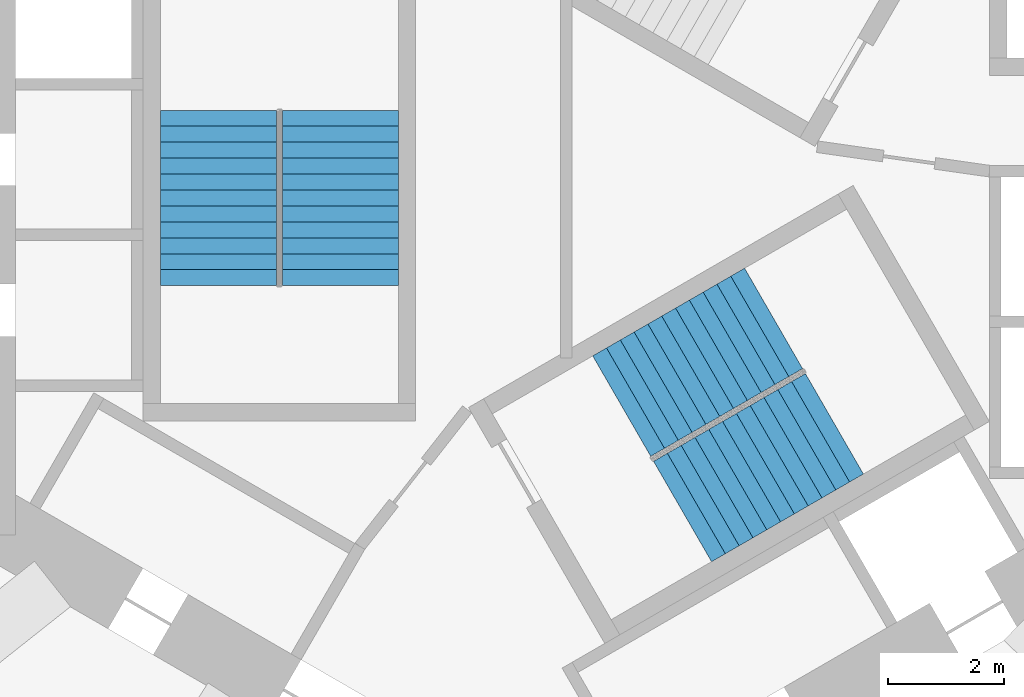
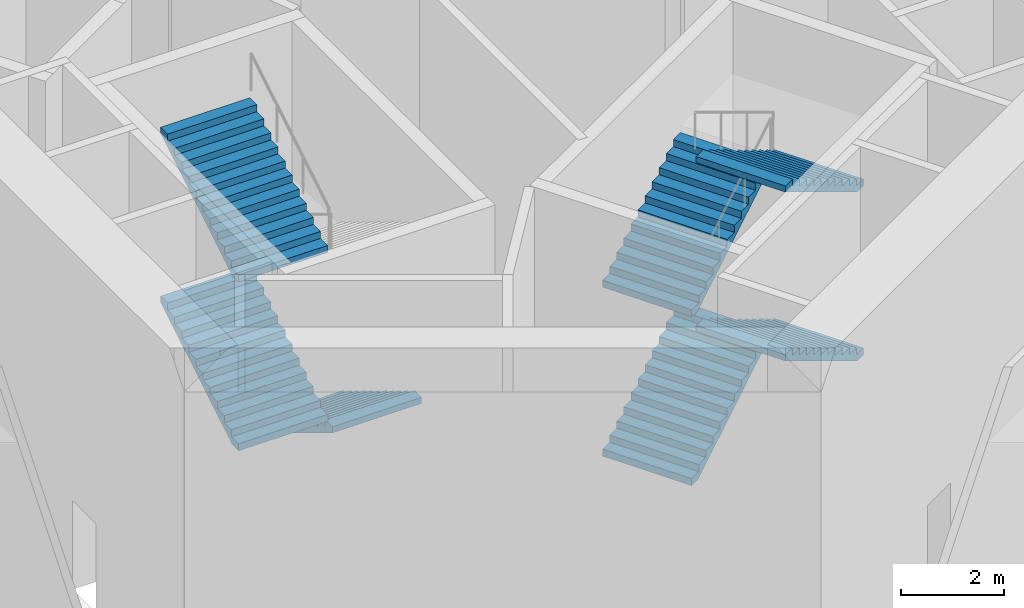
# One storey, part 12 of 15: 7 stair flights, 2 elements without a shape of their own.
"""IFC4 building model written with IfcOpenShell, lengths in metres."""

import ifcopenshell
import ifcopenshell.guid

model = None  # the IFC model being written
_history = None  # IfcOwnerHistory: only IFC2X3 demands one
_inside = {}  # id of a spatial element -> (the spatial element, [elements in it])
_under = {}  # id of a project, library or spatial element -> (it, [spatial elements below it])
_declared = {}  # id of a project -> (the project, [libraries it declares])
_typed = {}  # id of a type object -> (the type object, [elements of that type])
_made_of = {}  # id of a material, layer set ... -> (it, [elements and type objects made of it])


def new_model(schema):
    """Start an empty IFC model of exactly this schema.

    Asked for "IFC4X3", IfcOpenShell would pick the latest addendum, in which some entities
    have other attributes; the version numbers below select the first issue.
    IFC2X3 requires an IfcOwnerHistory on every rooted entity: one is made here for all.
    """
    global model, _history
    if schema == "IFC4X3":
        model = ifcopenshell.file(schema_version=(4, 3, 0, 0))
    else:
        model = ifcopenshell.file(schema=schema)
    _inside.clear()
    _under.clear()
    _declared.clear()
    _typed.clear()
    _made_of.clear()
    _history = None
    if model.schema == "IFC2X3":
        org = make("IfcOrganization", Name="unknown")
        user = make(
            "IfcPersonAndOrganization",
            ThePerson=make("IfcPerson", FamilyName="unknown"),
            TheOrganization=org,
        )
        app = make(
            "IfcApplication",
            ApplicationDeveloper=org,
            Version="unknown",
            ApplicationFullName="unknown",
            ApplicationIdentifier="unknown",
        )
        _history = make(
            "IfcOwnerHistory",
            OwningUser=user,
            OwningApplication=app,
            ChangeAction="ADDED",
            CreationDate=0,
        )
    return model


def make(cls, **values):
    """One entity of the class cls with the attributes given. An attribute that is None is left unset."""
    return model.create_entity(
        cls, **{name: value for name, value in values.items() if value is not None}
    )


def rooted(cls, **values):
    """An entity with a GlobalId (a new one), such as an element, a storey or a relation."""
    return make(cls, GlobalId=ifcopenshell.guid.new(), OwnerHistory=_history, **values)


def si_unit(unit_type, name, prefix=None):
    """IfcSIUnit, for example si_unit("LENGTHUNIT", "METRE", prefix="MILLI")."""
    return make("IfcSIUnit", UnitType=unit_type, Prefix=prefix, Name=name)


def assignment(units):
    """IfcUnitAssignment: the units of a project."""
    return None if units is None else make("IfcUnitAssignment", Units=units)


def point(xyz):
    """IfcCartesianPoint."""
    return None if xyz is None else make("IfcCartesianPoint", Coordinates=xyz)


def direction(xyz):
    """IfcDirection."""
    return None if xyz is None else make("IfcDirection", DirectionRatios=xyz)


def frame(location, z_axis=None, x_axis=None):
    """IfcAxis2Placement3D, a coordinate frame: its origin and axes. An axis left out is left unset."""
    return make(
        "IfcAxis2Placement3D",
        Location=point(location),
        Axis=direction(z_axis),
        RefDirection=direction(x_axis),
    )


def origin():
    """The frame at (0, 0, 0) with its axes left unset."""
    return frame((0.0, 0.0, 0.0))


def place(relative_to, where):
    """IfcLocalPlacement: puts the frame where relative to a parent placement (None: the world)."""
    return make(
        "IfcLocalPlacement", PlacementRelTo=relative_to, RelativePlacement=where
    )


def context(
    kind, dimensions, precision=None, world=None, true_north=None, identifier=None
):
    """IfcGeometricRepresentationContext, for example the 3D "Model" context."""
    return make(
        "IfcGeometricRepresentationContext",
        ContextIdentifier=identifier,
        ContextType=kind,
        CoordinateSpaceDimension=dimensions,
        Precision=precision,
        WorldCoordinateSystem=world,
        TrueNorth=true_north,
    )


def subcontext(parent, identifier, kind, view, scale=None):
    """IfcGeometricRepresentationSubContext, for example "Body" below "Model"."""
    return make(
        "IfcGeometricRepresentationSubContext",
        ContextIdentifier=identifier,
        ContextType=kind,
        ParentContext=parent,
        TargetScale=scale,
        TargetView=view,
    )


def project(units=None, contexts=None):
    """IfcProject with its units and contexts."""
    return rooted(
        "IfcProject",
        Name="project",
        RepresentationContexts=contexts,
        UnitsInContext=assignment(units),
    )


def spatial(cls, under=None, at=None, **own):
    """A site, building, storey or space (cls), placed at a placement, below another one or the project."""
    s = rooted(cls, ObjectPlacement=at, **own)
    if under is not None:
        _under.setdefault(under.id(), (under, []))[1].append(s)
    return s


def point_list(points):
    """IfcCartesianPointList2D or 3D."""
    cls = (
        "IfcCartesianPointList2D" if len(points[0]) == 2 else "IfcCartesianPointList3D"
    )
    return make(cls, CoordList=points)


def triangles(points, corners, closed=None, point_numbers=None):
    """IfcTriangulatedFaceSet: each triangle names its three corners, points numbered from 1."""
    return make(
        "IfcTriangulatedFaceSet",
        Coordinates=point_list(points),
        Closed=closed,
        CoordIndex=corners,
        PnIndex=point_numbers,
    )


def shape(context_of_items, identifier, shape_type, items):
    """IfcShapeRepresentation: the items that make up one representation, for example the "Body"."""
    return make(
        "IfcShapeRepresentation",
        ContextOfItems=context_of_items,
        RepresentationIdentifier=identifier,
        RepresentationType=shape_type,
        Items=items,
    )


def source(mapping_origin, context_of_items, identifier, shape_type, items):
    """IfcRepresentationMap: a shape defined once, which mapped items show again and again."""
    return make(
        "IfcRepresentationMap",
        MappingOrigin=mapping_origin,
        MappedRepresentation=shape(context_of_items, identifier, shape_type, items),
    )


def transform(
    local_origin,
    x_axis=None,
    y_axis=None,
    z_axis=None,
    scale=None,
    scale2=None,
    scale3=None,
    uniform=True,
):
    """IfcCartesianTransformationOperator3D, or its non-uniform kind. x_axis, y_axis, z_axis: its Axis1, 2, 3."""
    if uniform:
        return make(
            "IfcCartesianTransformationOperator3D",
            Axis1=direction(x_axis),
            Axis2=direction(y_axis),
            LocalOrigin=point(local_origin),
            Scale=scale,
            Axis3=direction(z_axis),
        )
    return make(
        "IfcCartesianTransformationOperator3DnonUniform",
        Axis1=direction(x_axis),
        Axis2=direction(y_axis),
        LocalOrigin=point(local_origin),
        Scale=scale,
        Axis3=direction(z_axis),
        Scale2=scale2,
        Scale3=scale3,
    )


def mapped(mapping_source, mapping_target):
    """IfcMappedItem: shows the shape of a source again, moved by a transform."""
    return make(
        "IfcMappedItem", MappingSource=mapping_source, MappingTarget=mapping_target
    )


def material(Name=None, Category=None):
    """IfcMaterial."""
    return make("IfcMaterial", Name=Name, Category=Category)


def made_of(thing, what):
    """Note that an element or type object is made of a material, layer set ...; save() writes the relation."""
    if what is not None:
        _made_of.setdefault(what.id(), (what, []))[1].append(thing)
    return thing


def type_object(cls, material=None, **own):
    """A type object (cls), such as IfcWallType, which elements share."""
    return made_of(rooted(cls, **own), material)


def element(
    cls,
    number,
    at=None,
    inside=None,
    cuts=None,
    type_object=None,
    material=None,
    context=None,
    identifier="Body",
    shape_type=None,
    held_by="IfcProductDefinitionShape",
    body=None,
    shapes=None,
    **own,
):
    """One element of the class cls, such as IfcWall. Its Tag is "e" and its number.

    at: its placement. inside: the storey or other place that contains it. cuts: it is an
    opening in that element (IfcRelVoidsElement). A single representation is given by context,
    identifier, shape_type and body (its items); several are given by shapes. held_by: the class
    of the entity that holds the representations. save() writes the other relations.
    """
    e = rooted(cls, Tag="e%d" % number, ObjectPlacement=at, **own)
    if body is not None:
        shapes = [shape(context, identifier, shape_type, body)]
    if shapes is not None:
        e.Representation = make(held_by, Representations=shapes)
    if inside is not None:
        _inside.setdefault(inside.id(), (inside, []))[1].append(e)
    if cuts is not None:
        rooted(
            "IfcRelVoidsElement", RelatingBuildingElement=cuts, RelatedOpeningElement=e
        )
    if type_object is not None:
        _typed.setdefault(type_object.id(), (type_object, []))[1].append(e)
    return made_of(e, material)


def aggregate(whole, parts):
    """IfcRelAggregates: a whole, such as a stair, and the parts it consists of."""
    return rooted("IfcRelAggregates", RelatingObject=whole, RelatedObjects=parts)


def save(model, path):
    """Write the relations noted so far, then the file.

    IfcRelAggregates (storeys below a building ...), IfcRelContainedInSpatialStructure (elements
    in a storey), IfcRelDefinesByType, IfcRelAssociatesMaterial and IfcRelDeclares: one each for
    every whole, place, type object, material and project.
    """
    for whole, parts in _under.values():
        aggregate(whole, parts)
    for where, things in _inside.values():
        rooted(
            "IfcRelContainedInSpatialStructure",
            RelatedElements=things,
            RelatingStructure=where,
        )
    for kind, things in _typed.values():
        rooted("IfcRelDefinesByType", RelatedObjects=things, RelatingType=kind)
    for what, things in _made_of.values():
        rooted("IfcRelAssociatesMaterial", RelatedObjects=things, RelatingMaterial=what)
    for by, libraries in _declared.values():
        rooted("IfcRelDeclares", RelatingContext=by, RelatedDefinitions=libraries)
    model.write(path)


model = new_model("IFC4")

# Units and contexts
model_context = context("Model", 3, precision=1e-05, world=origin(), true_north=direction((0.0, 1.0)))
body_context = subcontext(model_context, "Body", "Model", "MODEL_VIEW")
ifc_project = project(units=[si_unit("LENGTHUNIT", "METRE"), si_unit("AREAUNIT", "SQUARE_METRE"), si_unit("VOLUMEUNIT", "CUBIC_METRE"), si_unit("PLANEANGLEUNIT", "RADIAN"), si_unit("MASSUNIT", "GRAM", prefix="KILO")], contexts=[model_context])

# Site, building, storey
site_placement = place(None, origin())
site = spatial("IfcSite", under=ifc_project, at=site_placement, CompositionType="ELEMENT")
building_placement = place(site_placement, origin())
building = spatial("IfcBuilding", under=site, at=building_placement, Name="Vanh Sen Convention Tower", CompositionType="ELEMENT")
storey_placement = place(building_placement, frame((0.0, 0.0, 21.0)))
storey = spatial("IfcBuildingStorey", under=building, at=storey_placement, Name="L03", CompositionType="ELEMENT", Elevation=21.0)

# Stair, stair flights
ifc_material_1 = material(Name="Concrete C50/60", Category="concrete")
stair_type_1 = type_object("IfcStairType", Name="Exit stair ST2 48 risers at 166.7", PredefinedType="HALF_TURN_STAIR", material=ifc_material_1)
stair_1_placement = place(storey_placement, origin())
stair_1 = element("IfcStair", 1, at=stair_1_placement, inside=storey, type_object=stair_type_1, Name="Exit stair ST2 L03", PredefinedType="HALF_TURN_STAIR")
ifc_material_2 = material(Name="Concrete C40/50", Category="concrete")
stair_flight_type = type_object("IfcStairFlightType", Name="Stair flight 2000", PredefinedType="STRAIGHT", material=ifc_material_2)
shared_shape = source(origin(), body_context, "Body", "Tessellation", [
    triangles([(0.2412109375, 1.0, 0.0), (0.0, 1.0, 0.0), (0.0, 1.0, 0.166748046875), (0.27490234375, 1.0, 0.166748046875), (0.27490234375, 1.0, 0.333251953125), (0.550048828125, 1.0, 0.333251953125), (0.550048828125, 1.0, 0.5), (0.824951171875, 1.0, 0.5), (0.824951171875, 1.0, 0.666748046875), (1.10009765625, 1.0, 0.666748046875), (1.10009765625, 1.0, 0.833251953125), (1.375, 1.0, 0.833251953125), (1.375, 1.0, 1.0), (1.64990234375, 1.0, 1.0), (1.64990234375, 1.0, 1.166748046875), (1.925048828125, 1.0, 1.166748046875), (1.925048828125, 1.0, 1.333251953125), (2.199951171875, 1.0, 1.333251953125), (2.199951171875, 1.0, 1.5), (2.47509765625, 1.0, 1.5), (2.47509765625, 1.0, 1.666748046875), (2.75, 1.0, 1.666748046875), (2.75, 1.0, 1.833251953125), (3.02490234375, 1.0, 1.833251953125), (3.02490234375, 1.0, 1.687255859375), (0.2412109375, -1.0, 0.0), (0.0, -1.0, 0.0), (0.0, -1.0, 0.166748046875), (0.27490234375, -1.0, 0.166748046875), (0.27490234375, -1.0, 0.333251953125), (0.550048828125, -1.0, 0.333251953125), (0.550048828125, -1.0, 0.5), (0.824951171875, -1.0, 0.5), (0.824951171875, -1.0, 0.666748046875), (1.10009765625, -1.0, 0.666748046875), (1.10009765625, -1.0, 0.833251953125), (1.375, -1.0, 0.833251953125), (1.375, -1.0, 1.0), (1.64990234375, -1.0, 1.0), (1.64990234375, -1.0, 1.166748046875), (1.925048828125, -1.0, 1.166748046875), (1.925048828125, -1.0, 1.333251953125), (2.199951171875, -1.0, 1.333251953125), (2.199951171875, -1.0, 1.5), (2.47509765625, -1.0, 1.5), (2.47509765625, -1.0, 1.666748046875), (2.75, -1.0, 1.666748046875), (2.75, -1.0, 1.833251953125), (3.02490234375, -1.0, 1.833251953125), (3.02490234375, -1.0, 1.687255859375), (0.0, 0.0400390625, 0.0), (0.0, 0.0390625, 0.0), (0.0, 0.0380859375, 0.0), (0.0, 0.037109375, 0.0), (0.0, 0.035888671875, 0.0), (0.0, 0.034912109375, 0.0), (0.0, 0.033935546875, 0.0), (0.0, 0.032958984375, 0.0), (0.0, 0.031982421875, 0.0), (0.0, 0.031005859375, 0.0), (0.0, 0.030029296875, 0.0), (0.0, 0.029052734375, 0.0), (0.0, 0.028076171875, 0.0), (0.0, 0.027099609375, 0.0), (0.0, 0.02587890625, 0.0), (0.0, 0.02490234375, 0.0), (0.0, 0.02392578125, 0.0), (0.0, 0.02294921875, 0.0), (0.0, 0.02197265625, 0.0), (0.0, 0.02099609375, 0.0), (0.0, 0.02001953125, 0.0), (0.0, 0.01904296875, 0.0), (0.0, 0.01806640625, 0.0), (0.0, 0.01708984375, 0.0), (0.0, 0.01611328125, 0.0), (0.0, 0.014892578125, 0.0), (0.0, 0.013916015625, 0.0), (0.0, 0.012939453125, 0.0), (0.0, 0.011962890625, 0.0), (0.0, 0.010986328125, 0.0), (0.0, 0.010009765625, 0.0), (0.0, 0.009033203125, 0.0), (0.0, 0.008056640625, 0.0), (0.0, 0.007080078125, 0.0), (0.0, 0.006103515625, 0.0), (0.0, 0.0048828125, 0.0), (0.0, 0.00390625, 0.0), (0.0, 0.0029296875, 0.0), (0.0, 0.001953125, 0.0), (0.0, 0.0009765625, 0.0), (0.0, 0.0, 0.0), (0.0, -0.0009765625, 0.0), (0.0, -0.001953125, 0.0), (0.0, -0.0029296875, 0.0), (0.0, -0.00390625, 0.0), (0.0, -0.0048828125, 0.0), (0.0, -0.006103515625, 0.0), (0.0, -0.007080078125, 0.0), (0.0, -0.008056640625, 0.0), (0.0, -0.009033203125, 0.0), (0.0, -0.010009765625, 0.0), (0.0, -0.010986328125, 0.0), (0.0, -0.011962890625, 0.0), (0.0, -0.012939453125, 0.0), (0.0, -0.013916015625, 0.0), (0.0, -0.014892578125, 0.0), (0.0, -0.01611328125, 0.0), (0.0, -0.01708984375, 0.0), (0.0, -0.01806640625, 0.0), (0.0, -0.01904296875, 0.0), (0.0, -0.02001953125, 0.0), (0.0, -0.02099609375, 0.0), (0.0, -0.02197265625, 0.0), (0.0, -0.02294921875, 0.0), (0.0, -0.02392578125, 0.0), (0.0, -0.02490234375, 0.0), (0.0, -0.02587890625, 0.0), (0.0, -0.027099609375, 0.0), (0.0, -0.028076171875, 0.0), (0.0, -0.029052734375, 0.0), (0.0, -0.030029296875, 0.0), (0.0, -0.031005859375, 0.0), (0.0, -0.031982421875, 0.0), (0.0, -0.032958984375, 0.0), (0.0, -0.033935546875, 0.0), (0.0, -0.034912109375, 0.0), (0.0, -0.035888671875, 0.0), (0.0, -0.037109375, 0.0), (0.0, -0.0380859375, 0.0), (0.0, -0.0390625, 0.0), (0.0, -0.0400390625, 0.0), (0.0, 0.0400390625, 0.166748046875), (0.0, 0.0390625, 0.166748046875), (0.0, 0.0380859375, 0.166748046875), (0.0, 0.037109375, 0.166748046875), (0.0, 0.035888671875, 0.166748046875), (0.0, 0.034912109375, 0.166748046875), (0.0, 0.033935546875, 0.166748046875), (0.0, 0.032958984375, 0.166748046875), (0.0, 0.031982421875, 0.166748046875), (0.0, 0.031005859375, 0.166748046875), (0.0, 0.030029296875, 0.166748046875), (0.0, 0.029052734375, 0.166748046875), (0.0, 0.028076171875, 0.166748046875), (0.0, 0.027099609375, 0.166748046875), (0.0, 0.02587890625, 0.166748046875), (0.0, 0.02490234375, 0.166748046875), (0.0, 0.02392578125, 0.166748046875), (0.0, 0.02294921875, 0.166748046875), (0.0, 0.02197265625, 0.166748046875), (0.0, 0.02099609375, 0.166748046875), (0.0, 0.02001953125, 0.166748046875), (0.0, 0.01904296875, 0.166748046875), (0.0, 0.01806640625, 0.166748046875), (0.0, 0.01708984375, 0.166748046875), (0.0, 0.01611328125, 0.166748046875), (0.0, 0.014892578125, 0.166748046875), (0.0, 0.013916015625, 0.166748046875), (0.0, 0.012939453125, 0.166748046875), (0.0, 0.011962890625, 0.166748046875), (0.0, 0.010986328125, 0.166748046875), (0.0, 0.010009765625, 0.166748046875), (0.0, 0.009033203125, 0.166748046875), (0.0, 0.008056640625, 0.166748046875), (0.0, 0.007080078125, 0.166748046875), (0.0, 0.006103515625, 0.166748046875), (0.0, 0.0048828125, 0.166748046875), (0.0, 0.00390625, 0.166748046875), (0.0, 0.0029296875, 0.166748046875), (0.0, 0.001953125, 0.166748046875), (0.0, 0.0009765625, 0.166748046875), (0.0, 0.0, 0.166748046875), (0.0, -0.0009765625, 0.166748046875), (0.0, -0.001953125, 0.166748046875), (0.0, -0.0029296875, 0.166748046875), (0.0, -0.00390625, 0.166748046875), (0.0, -0.0048828125, 0.166748046875), (0.0, -0.006103515625, 0.166748046875), (0.0, -0.007080078125, 0.166748046875), (0.0, -0.008056640625, 0.166748046875), (0.0, -0.009033203125, 0.166748046875), (0.0, -0.010009765625, 0.166748046875), (0.0, -0.010986328125, 0.166748046875), (0.0, -0.011962890625, 0.166748046875), (0.0, -0.012939453125, 0.166748046875), (0.0, -0.013916015625, 0.166748046875), (0.0, -0.014892578125, 0.166748046875), (0.0, -0.01611328125, 0.166748046875), (0.0, -0.01708984375, 0.166748046875), (0.0, -0.01806640625, 0.166748046875), (0.0, -0.01904296875, 0.166748046875), (0.0, -0.02001953125, 0.166748046875), (0.0, -0.02099609375, 0.166748046875), (0.0, -0.02197265625, 0.166748046875), (0.0, -0.02294921875, 0.166748046875), (0.0, -0.02392578125, 0.166748046875), (0.0, -0.02490234375, 0.166748046875), (0.0, -0.02587890625, 0.166748046875), (0.0, -0.027099609375, 0.166748046875), (0.0, -0.028076171875, 0.166748046875), (0.0, -0.029052734375, 0.166748046875), (0.0, -0.030029296875, 0.166748046875), (0.0, -0.031005859375, 0.166748046875), (0.0, -0.031982421875, 0.166748046875), (0.0, -0.032958984375, 0.166748046875), (0.0, -0.033935546875, 0.166748046875), (0.0, -0.034912109375, 0.166748046875), (0.0, -0.035888671875, 0.166748046875), (0.0, -0.037109375, 0.166748046875), (0.0, -0.0380859375, 0.166748046875), (0.0, -0.0390625, 0.166748046875), (0.0, -0.0400390625, 0.166748046875), (0.27490234375, 0.0, 0.166748046875), (0.27490234375, 0.0, 0.333251953125), (0.550048828125, 0.0, 0.333251953125), (0.550048828125, 0.0, 0.5), (0.824951171875, 0.0, 0.5), (0.824951171875, 0.0, 0.666748046875), (1.10009765625, 0.0, 0.666748046875), (1.10009765625, 0.0, 0.833251953125), (1.375, 0.0, 0.833251953125), (1.375, 0.0, 1.0), (1.64990234375, 0.0, 1.0), (1.64990234375, 0.0, 1.166748046875), (1.925048828125, 0.0, 1.166748046875), (1.925048828125, 0.0, 1.333251953125), (2.199951171875, 0.0, 1.333251953125), (2.199951171875, 0.0, 1.5), (2.47509765625, 0.0, 1.5), (2.47509765625, 0.0, 1.666748046875), (2.75, 0.0, 1.666748046875), (2.75, 0.0, 1.833251953125), (3.02490234375, 0.0400390625, 1.833251953125), (3.02490234375, 0.0390625, 1.833251953125), (3.02490234375, 0.0380859375, 1.833251953125), (3.02490234375, 0.037109375, 1.833251953125), (3.02490234375, 0.035888671875, 1.833251953125), (3.02490234375, 0.034912109375, 1.833251953125), (3.02490234375, 0.033935546875, 1.833251953125), (3.02490234375, 0.032958984375, 1.833251953125), (3.02490234375, 0.031982421875, 1.833251953125), (3.02490234375, 0.031005859375, 1.833251953125), (3.02490234375, 0.030029296875, 1.833251953125), (3.02490234375, 0.029052734375, 1.833251953125), (3.02490234375, 0.028076171875, 1.833251953125), (3.02490234375, 0.027099609375, 1.833251953125), (3.02490234375, 0.02587890625, 1.833251953125), (3.02490234375, 0.02490234375, 1.833251953125), (3.02490234375, 0.02392578125, 1.833251953125), (3.02490234375, 0.02294921875, 1.833251953125), (3.02490234375, 0.02197265625, 1.833251953125), (3.02490234375, 0.02099609375, 1.833251953125), (3.02490234375, 0.02001953125, 1.833251953125), (3.02490234375, 0.01904296875, 1.833251953125), (3.02490234375, 0.01806640625, 1.833251953125), (3.02490234375, 0.01708984375, 1.833251953125), (3.02490234375, 0.01611328125, 1.833251953125), (3.02490234375, 0.014892578125, 1.833251953125), (3.02490234375, 0.013916015625, 1.833251953125), (3.02490234375, 0.012939453125, 1.833251953125), (3.02490234375, 0.011962890625, 1.833251953125), (3.02490234375, 0.010986328125, 1.833251953125), (3.02490234375, 0.010009765625, 1.833251953125), (3.02490234375, 0.009033203125, 1.833251953125), (3.02490234375, 0.008056640625, 1.833251953125), (3.02490234375, 0.007080078125, 1.833251953125), (3.02490234375, 0.006103515625, 1.833251953125), (3.02490234375, 0.0048828125, 1.833251953125), (3.02490234375, 0.00390625, 1.833251953125), (3.02490234375, 0.0029296875, 1.833251953125), (3.02490234375, 0.001953125, 1.833251953125), (3.02490234375, 0.0009765625, 1.833251953125), (3.02490234375, 0.0, 1.833251953125), (3.02490234375, -0.0009765625, 1.833251953125), (3.02490234375, -0.001953125, 1.833251953125), (3.02490234375, -0.0029296875, 1.833251953125), (3.02490234375, -0.00390625, 1.833251953125), (3.02490234375, -0.0048828125, 1.833251953125), (3.02490234375, -0.006103515625, 1.833251953125), (3.02490234375, -0.007080078125, 1.833251953125), (3.02490234375, -0.008056640625, 1.833251953125), (3.02490234375, -0.009033203125, 1.833251953125), (3.02490234375, -0.010009765625, 1.833251953125), (3.02490234375, -0.010986328125, 1.833251953125), (3.02490234375, -0.011962890625, 1.833251953125), (3.02490234375, -0.012939453125, 1.833251953125), (3.02490234375, -0.013916015625, 1.833251953125), (3.02490234375, -0.014892578125, 1.833251953125), (3.02490234375, -0.01611328125, 1.833251953125), (3.02490234375, -0.01708984375, 1.833251953125), (3.02490234375, -0.01806640625, 1.833251953125), (3.02490234375, -0.01904296875, 1.833251953125), (3.02490234375, -0.02001953125, 1.833251953125), (3.02490234375, -0.02099609375, 1.833251953125), (3.02490234375, -0.02197265625, 1.833251953125), (3.02490234375, -0.02294921875, 1.833251953125), (3.02490234375, -0.02392578125, 1.833251953125), (3.02490234375, -0.02490234375, 1.833251953125), (3.02490234375, -0.02587890625, 1.833251953125), (3.02490234375, -0.027099609375, 1.833251953125), (3.02490234375, -0.028076171875, 1.833251953125), (3.02490234375, -0.029052734375, 1.833251953125), (3.02490234375, -0.030029296875, 1.833251953125), (3.02490234375, -0.031005859375, 1.833251953125), (3.02490234375, -0.031982421875, 1.833251953125), (3.02490234375, -0.032958984375, 1.833251953125), (3.02490234375, -0.033935546875, 1.833251953125), (3.02490234375, -0.034912109375, 1.833251953125), (3.02490234375, -0.035888671875, 1.833251953125), (3.02490234375, -0.037109375, 1.833251953125), (3.02490234375, -0.0380859375, 1.833251953125), (3.02490234375, -0.0390625, 1.833251953125), (3.02490234375, -0.0400390625, 1.833251953125), (3.02490234375, 0.0400390625, 1.687255859375), (3.02490234375, 0.0390625, 1.687255859375), (3.02490234375, 0.0380859375, 1.687255859375), (3.02490234375, 0.037109375, 1.687255859375), (3.02490234375, 0.035888671875, 1.687255859375), (3.02490234375, 0.034912109375, 1.687255859375), (3.02490234375, 0.033935546875, 1.687255859375), (3.02490234375, 0.032958984375, 1.687255859375), (3.02490234375, 0.031982421875, 1.687255859375), (3.02490234375, 0.031005859375, 1.687255859375), (3.02490234375, 0.030029296875, 1.687255859375), (3.02490234375, 0.029052734375, 1.687255859375), (3.02490234375, 0.028076171875, 1.687255859375), (3.02490234375, 0.027099609375, 1.687255859375), (3.02490234375, 0.02587890625, 1.687255859375), (3.02490234375, 0.02490234375, 1.687255859375), (3.02490234375, 0.02392578125, 1.687255859375), (3.02490234375, 0.02294921875, 1.687255859375), (3.02490234375, 0.02197265625, 1.687255859375), (3.02490234375, 0.02099609375, 1.687255859375), (3.02490234375, 0.02001953125, 1.687255859375), (3.02490234375, 0.01904296875, 1.687255859375), (3.02490234375, 0.01806640625, 1.687255859375), (3.02490234375, 0.01708984375, 1.687255859375), (3.02490234375, 0.01611328125, 1.687255859375), (3.02490234375, 0.014892578125, 1.687255859375), (3.02490234375, 0.013916015625, 1.687255859375), (3.02490234375, 0.012939453125, 1.687255859375), (3.02490234375, 0.011962890625, 1.687255859375), (3.02490234375, 0.010986328125, 1.687255859375), (3.02490234375, 0.010009765625, 1.687255859375), (3.02490234375, 0.009033203125, 1.687255859375), (3.02490234375, 0.008056640625, 1.687255859375), (3.02490234375, 0.007080078125, 1.687255859375), (3.02490234375, 0.006103515625, 1.687255859375), (3.02490234375, 0.0048828125, 1.687255859375), (3.02490234375, 0.00390625, 1.687255859375), (3.02490234375, 0.0029296875, 1.687255859375), (3.02490234375, 0.001953125, 1.687255859375), (3.02490234375, 0.0009765625, 1.687255859375), (3.02490234375, 0.0, 1.687255859375), (3.02490234375, -0.0009765625, 1.687255859375), (3.02490234375, -0.001953125, 1.687255859375), (3.02490234375, -0.0029296875, 1.687255859375), (3.02490234375, -0.00390625, 1.687255859375), (3.02490234375, -0.0048828125, 1.687255859375), (3.02490234375, -0.006103515625, 1.687255859375), (3.02490234375, -0.007080078125, 1.687255859375), (3.02490234375, -0.008056640625, 1.687255859375), (3.02490234375, -0.009033203125, 1.687255859375), (3.02490234375, -0.010009765625, 1.687255859375), (3.02490234375, -0.010986328125, 1.687255859375), (3.02490234375, -0.011962890625, 1.687255859375), (3.02490234375, -0.012939453125, 1.687255859375), (3.02490234375, -0.013916015625, 1.687255859375), (3.02490234375, -0.014892578125, 1.687255859375), (3.02490234375, -0.01611328125, 1.687255859375), (3.02490234375, -0.01708984375, 1.687255859375), (3.02490234375, -0.01806640625, 1.687255859375), (3.02490234375, -0.01904296875, 1.687255859375), (3.02490234375, -0.02001953125, 1.687255859375), (3.02490234375, -0.02099609375, 1.687255859375), (3.02490234375, -0.02197265625, 1.687255859375), (3.02490234375, -0.02294921875, 1.687255859375), (3.02490234375, -0.02392578125, 1.687255859375), (3.02490234375, -0.02490234375, 1.687255859375), (3.02490234375, -0.02587890625, 1.687255859375), (3.02490234375, -0.027099609375, 1.687255859375), (3.02490234375, -0.028076171875, 1.687255859375), (3.02490234375, -0.029052734375, 1.687255859375), (3.02490234375, -0.030029296875, 1.687255859375), (3.02490234375, -0.031005859375, 1.687255859375), (3.02490234375, -0.031982421875, 1.687255859375), (3.02490234375, -0.032958984375, 1.687255859375), (3.02490234375, -0.033935546875, 1.687255859375), (3.02490234375, -0.034912109375, 1.687255859375), (3.02490234375, -0.035888671875, 1.687255859375), (3.02490234375, -0.037109375, 1.687255859375), (3.02490234375, -0.0380859375, 1.687255859375), (3.02490234375, -0.0390625, 1.687255859375), (3.02490234375, -0.0400390625, 1.687255859375), (0.2412109375, 0.0, 0.0)], [[1, 2, 3], [1, 3, 4], [4, 5, 6], [1, 4, 6], [6, 7, 8], [1, 6, 8], [8, 9, 10], [1, 8, 10], [10, 11, 12], [1, 10, 12], [12, 13, 14], [1, 12, 14], [14, 15, 16], [1, 14, 16], [16, 17, 18], [1, 16, 18], [18, 19, 20], [1, 18, 20], [20, 21, 22], [1, 20, 22], [22, 23, 24], [1, 22, 24], [24, 25, 1], [26, 28, 27], [26, 29, 28], [29, 31, 30], [26, 31, 29], [31, 33, 32], [26, 33, 31], [33, 35, 34], [26, 35, 33], [35, 37, 36], [26, 37, 35], [37, 39, 38], [26, 39, 37], [39, 41, 40], [26, 41, 39], [41, 43, 42], [26, 43, 41], [43, 45, 44], [26, 45, 43], [45, 47, 46], [26, 47, 45], [47, 49, 48], [26, 49, 47], [49, 26, 50], [2, 132, 3], [2, 51, 132], [51, 133, 132], [51, 52, 133], [52, 134, 133], [52, 53, 134], [53, 135, 134], [53, 54, 135], [54, 136, 135], [54, 55, 136], [55, 137, 136], [55, 56, 137], [56, 138, 137], [56, 57, 138], [57, 139, 138], [57, 58, 139], [58, 140, 139], [58, 59, 140], [59, 141, 140], [59, 60, 141], [60, 142, 141], [60, 61, 142], [61, 143, 142], [61, 62, 143], [62, 144, 143], [62, 63, 144], [63, 145, 144], [63, 64, 145], [64, 146, 145], [64, 65, 146], [65, 147, 146], [65, 66, 147], [66, 148, 147], [66, 67, 148], [67, 149, 148], [67, 68, 149], [68, 150, 149], [68, 69, 150], [69, 151, 150], [69, 70, 151], [70, 152, 151], [70, 71, 152], [71, 153, 152], [71, 72, 153], [72, 154, 153], [72, 73, 154], [73, 155, 154], [73, 74, 155], [74, 156, 155], [74, 75, 156], [75, 157, 156], [75, 76, 157], [76, 158, 157], [76, 77, 158], [77, 159, 158], [77, 78, 159], [78, 160, 159], [78, 79, 160], [79, 161, 160], [79, 80, 161], [80, 162, 161], [80, 81, 162], [81, 163, 162], [81, 82, 163], [82, 164, 163], [82, 83, 164], [83, 165, 164], [83, 84, 165], [84, 166, 165], [84, 85, 166], [85, 167, 166], [85, 86, 167], [86, 168, 167], [86, 87, 168], [87, 169, 168], [87, 88, 169], [88, 170, 169], [88, 89, 170], [89, 171, 170], [89, 90, 171], [90, 172, 171], [90, 91, 172], [91, 92, 172], [172, 92, 173], [92, 93, 173], [173, 93, 174], [93, 94, 174], [174, 94, 175], [94, 95, 175], [175, 95, 176], [95, 96, 176], [176, 96, 177], [96, 97, 177], [177, 97, 178], [97, 98, 178], [178, 98, 179], [98, 99, 179], [179, 99, 180], [99, 100, 180], [180, 100, 181], [100, 101, 181], [181, 101, 182], [101, 102, 182], [182, 102, 183], [102, 103, 183], [183, 103, 184], [103, 104, 184], [184, 104, 185], [104, 105, 185], [185, 105, 186], [105, 106, 186], [186, 106, 187], [106, 107, 187], [187, 107, 188], [107, 108, 188], [188, 108, 189], [108, 109, 189], [189, 109, 190], [109, 110, 190], [190, 110, 191], [110, 111, 191], [191, 111, 192], [111, 112, 192], [192, 112, 193], [112, 113, 193], [193, 113, 194], [113, 114, 194], [194, 114, 195], [114, 115, 195], [195, 115, 196], [115, 116, 196], [196, 116, 197], [116, 117, 197], [197, 117, 198], [117, 118, 198], [198, 118, 199], [118, 119, 199], [199, 119, 200], [119, 120, 200], [200, 120, 201], [120, 121, 201], [201, 121, 202], [121, 122, 202], [202, 122, 203], [122, 123, 203], [203, 123, 204], [123, 124, 204], [204, 124, 205], [124, 125, 205], [205, 125, 206], [125, 126, 206], [206, 126, 207], [126, 127, 207], [207, 127, 208], [127, 128, 208], [208, 128, 209], [128, 129, 209], [209, 129, 210], [129, 130, 210], [210, 130, 211], [130, 131, 211], [211, 131, 212], [131, 27, 212], [212, 27, 28], [4, 3, 132], [4, 132, 133], [4, 133, 134], [4, 134, 135], [4, 135, 136], [4, 136, 137], [4, 137, 138], [4, 138, 139], [4, 139, 140], [4, 140, 141], [4, 141, 142], [4, 142, 143], [4, 143, 144], [4, 144, 145], [4, 145, 146], [4, 146, 147], [4, 147, 148], [4, 148, 149], [4, 149, 150], [4, 150, 151], [4, 151, 152], [4, 152, 153], [4, 153, 154], [4, 154, 155], [4, 155, 156], [4, 156, 157], [4, 157, 158], [4, 158, 159], [4, 159, 160], [4, 160, 161], [4, 161, 162], [4, 162, 163], [4, 163, 164], [4, 164, 165], [4, 165, 166], [4, 166, 167], [4, 167, 168], [4, 168, 169], [4, 169, 170], [4, 170, 171], [4, 171, 172], [29, 172, 173], [29, 173, 174], [29, 174, 175], [29, 175, 176], [29, 176, 177], [29, 177, 178], [29, 178, 179], [29, 179, 180], [29, 180, 181], [29, 181, 182], [29, 182, 183], [29, 183, 184], [29, 184, 185], [29, 185, 186], [29, 186, 187], [29, 187, 188], [29, 188, 189], [29, 189, 190], [29, 190, 191], [29, 191, 192], [29, 192, 193], [29, 193, 194], [29, 194, 195], [29, 195, 196], [29, 196, 197], [29, 197, 198], [29, 198, 199], [29, 199, 200], [29, 200, 201], [29, 201, 202], [29, 202, 203], [29, 203, 204], [29, 204, 205], [29, 205, 206], [29, 206, 207], [29, 207, 208], [29, 208, 209], [29, 209, 210], [29, 210, 211], [29, 211, 212], [29, 212, 28], [4, 172, 213], [29, 213, 172], [4, 214, 5], [4, 213, 214], [213, 29, 214], [214, 29, 30], [5, 215, 6], [5, 214, 215], [214, 30, 215], [215, 30, 31], [6, 216, 7], [6, 215, 216], [215, 31, 216], [216, 31, 32], [7, 217, 8], [7, 216, 217], [216, 32, 217], [217, 32, 33], [8, 218, 9], [8, 217, 218], [217, 33, 218], [218, 33, 34], [9, 219, 10], [9, 218, 219], [218, 34, 219], [219, 34, 35], [10, 220, 11], [10, 219, 220], [219, 35, 220], [220, 35, 36], [11, 221, 12], [11, 220, 221], [220, 36, 221], [221, 36, 37], [12, 222, 13], [12, 221, 222], [221, 37, 222], [222, 37, 38], [13, 223, 14], [13, 222, 223], [222, 38, 223], [223, 38, 39], [14, 224, 15], [14, 223, 224], [223, 39, 224], [224, 39, 40], [15, 225, 16], [15, 224, 225], [224, 40, 225], [225, 40, 41], [16, 226, 17], [16, 225, 226], [225, 41, 226], [226, 41, 42], [17, 227, 18], [17, 226, 227], [226, 42, 227], [227, 42, 43], [18, 228, 19], [18, 227, 228], [227, 43, 228], [228, 43, 44], [19, 229, 20], [19, 228, 229], [228, 44, 229], [229, 44, 45], [20, 230, 21], [20, 229, 230], [229, 45, 230], [230, 45, 46], [21, 231, 22], [21, 230, 231], [230, 46, 231], [231, 46, 47], [22, 232, 23], [22, 231, 232], [231, 47, 232], [232, 47, 48], [23, 233, 24], [23, 234, 233], [23, 235, 234], [23, 236, 235], [23, 237, 236], [23, 238, 237], [23, 239, 238], [23, 240, 239], [23, 241, 240], [23, 242, 241], [23, 243, 242], [23, 244, 243], [23, 245, 244], [23, 246, 245], [23, 247, 246], [23, 248, 247], [23, 249, 248], [23, 250, 249], [23, 251, 250], [23, 252, 251], [23, 253, 252], [23, 254, 253], [23, 255, 254], [23, 256, 255], [23, 257, 256], [23, 258, 257], [23, 259, 258], [23, 260, 259], [23, 261, 260], [23, 262, 261], [23, 263, 262], [23, 264, 263], [23, 265, 264], [23, 266, 265], [23, 267, 266], [23, 268, 267], [23, 269, 268], [23, 270, 269], [23, 271, 270], [23, 272, 271], [23, 273, 272], [48, 274, 273], [48, 275, 274], [48, 276, 275], [48, 277, 276], [48, 278, 277], [48, 279, 278], [48, 280, 279], [48, 281, 280], [48, 282, 281], [48, 283, 282], [48, 284, 283], [48, 285, 284], [48, 286, 285], [48, 287, 286], [48, 288, 287], [48, 289, 288], [48, 290, 289], [48, 291, 290], [48, 292, 291], [48, 293, 292], [48, 294, 293], [48, 295, 294], [48, 296, 295], [48, 297, 296], [48, 298, 297], [48, 299, 298], [48, 300, 299], [48, 301, 300], [48, 302, 301], [48, 303, 302], [48, 304, 303], [48, 305, 304], [48, 306, 305], [48, 307, 306], [48, 308, 307], [48, 309, 308], [48, 310, 309], [48, 311, 310], [48, 312, 311], [48, 313, 312], [48, 49, 313], [23, 232, 273], [48, 273, 232], [24, 314, 25], [24, 233, 314], [233, 315, 314], [233, 234, 315], [234, 316, 315], [234, 235, 316], [235, 317, 316], [235, 236, 317], [236, 318, 317], [236, 237, 318], [237, 319, 318], [237, 238, 319], [238, 320, 319], [238, 239, 320], [239, 321, 320], [239, 240, 321], [240, 322, 321], [240, 241, 322], [241, 323, 322], [241, 242, 323], [242, 324, 323], [242, 243, 324], [243, 325, 324], [243, 244, 325], [244, 326, 325], [244, 245, 326], [245, 327, 326], [245, 246, 327], [246, 328, 327], [246, 247, 328], [247, 329, 328], [247, 248, 329], [248, 330, 329], [248, 249, 330], [249, 331, 330], [249, 250, 331], [250, 332, 331], [250, 251, 332], [251, 333, 332], [251, 252, 333], [252, 334, 333], [252, 253, 334], [253, 335, 334], [253, 254, 335], [254, 336, 335], [254, 255, 336], [255, 337, 336], [255, 256, 337], [256, 338, 337], [256, 257, 338], [257, 339, 338], [257, 258, 339], [258, 340, 339], [258, 259, 340], [259, 341, 340], [259, 260, 341], [260, 342, 341], [260, 261, 342], [261, 343, 342], [261, 262, 343], [262, 344, 343], [262, 263, 344], [263, 345, 344], [263, 264, 345], [264, 346, 345], [264, 265, 346], [265, 347, 346], [265, 266, 347], [266, 348, 347], [266, 267, 348], [267, 349, 348], [267, 268, 349], [268, 350, 349], [268, 269, 350], [269, 351, 350], [269, 270, 351], [270, 352, 351], [270, 271, 352], [271, 353, 352], [271, 272, 353], [272, 354, 353], [272, 273, 354], [273, 274, 354], [354, 274, 355], [274, 275, 355], [355, 275, 356], [275, 276, 356], [356, 276, 357], [276, 277, 357], [357, 277, 358], [277, 278, 358], [358, 278, 359], [278, 279, 359], [359, 279, 360], [279, 280, 360], [360, 280, 361], [280, 281, 361], [361, 281, 362], [281, 282, 362], [362, 282, 363], [282, 283, 363], [363, 283, 364], [283, 284, 364], [364, 284, 365], [284, 285, 365], [365, 285, 366], [285, 286, 366], [366, 286, 367], [286, 287, 367], [367, 287, 368], [287, 288, 368], [368, 288, 369], [288, 289, 369], [369, 289, 370], [289, 290, 370], [370, 290, 371], [290, 291, 371], [371, 291, 372], [291, 292, 372], [372, 292, 373], [292, 293, 373], [373, 293, 374], [293, 294, 374], [374, 294, 375], [294, 295, 375], [375, 295, 376], [295, 296, 376], [376, 296, 377], [296, 297, 377], [377, 297, 378], [297, 298, 378], [378, 298, 379], [298, 299, 379], [379, 299, 380], [299, 300, 380], [380, 300, 381], [300, 301, 381], [381, 301, 382], [301, 302, 382], [382, 302, 383], [302, 303, 383], [383, 303, 384], [303, 304, 384], [384, 304, 385], [304, 305, 385], [385, 305, 386], [305, 306, 386], [386, 306, 387], [306, 307, 387], [387, 307, 388], [307, 308, 388], [388, 308, 389], [308, 309, 389], [389, 309, 390], [309, 310, 390], [390, 310, 391], [310, 311, 391], [391, 311, 392], [311, 312, 392], [392, 312, 393], [312, 313, 393], [393, 313, 394], [313, 49, 394], [394, 49, 50], [1, 25, 314], [1, 314, 315], [1, 315, 316], [1, 316, 317], [1, 317, 318], [1, 318, 319], [1, 319, 320], [1, 320, 321], [1, 321, 322], [1, 322, 323], [1, 323, 324], [1, 324, 325], [1, 325, 326], [1, 326, 327], [1, 327, 328], [1, 328, 329], [1, 329, 330], [1, 330, 331], [1, 331, 332], [1, 332, 333], [1, 333, 334], [1, 334, 335], [1, 335, 336], [1, 336, 337], [1, 337, 338], [1, 338, 339], [1, 339, 340], [1, 340, 341], [1, 341, 342], [1, 342, 343], [1, 343, 344], [1, 344, 345], [1, 345, 346], [1, 346, 347], [1, 347, 348], [1, 348, 349], [1, 349, 350], [1, 350, 351], [1, 351, 352], [1, 352, 353], [1, 353, 354], [26, 354, 355], [26, 355, 356], [26, 356, 357], [26, 357, 358], [26, 358, 359], [26, 359, 360], [26, 360, 361], [26, 361, 362], [26, 362, 363], [26, 363, 364], [26, 364, 365], [26, 365, 366], [26, 366, 367], [26, 367, 368], [26, 368, 369], [26, 369, 370], [26, 370, 371], [26, 371, 372], [26, 372, 373], [26, 373, 374], [26, 374, 375], [26, 375, 376], [26, 376, 377], [26, 377, 378], [26, 378, 379], [26, 379, 380], [26, 380, 381], [26, 381, 382], [26, 382, 383], [26, 383, 384], [26, 384, 385], [26, 385, 386], [26, 386, 387], [26, 387, 388], [26, 388, 389], [26, 389, 390], [26, 390, 391], [26, 391, 392], [26, 392, 393], [26, 393, 394], [26, 394, 50], [1, 354, 395], [26, 395, 354], [1, 51, 2], [1, 52, 51], [1, 53, 52], [1, 54, 53], [1, 55, 54], [1, 56, 55], [1, 57, 56], [1, 58, 57], [1, 59, 58], [1, 60, 59], [1, 61, 60], [1, 62, 61], [1, 63, 62], [1, 64, 63], [1, 65, 64], [1, 66, 65], [1, 67, 66], [1, 68, 67], [1, 69, 68], [1, 70, 69], [1, 71, 70], [1, 72, 71], [1, 73, 72], [1, 74, 73], [1, 75, 74], [1, 76, 75], [1, 77, 76], [1, 78, 77], [1, 79, 78], [1, 80, 79], [1, 81, 80], [1, 82, 81], [1, 83, 82], [1, 84, 83], [1, 85, 84], [1, 86, 85], [1, 87, 86], [1, 88, 87], [1, 89, 88], [1, 90, 89], [1, 91, 90], [26, 92, 91], [26, 93, 92], [26, 94, 93], [26, 95, 94], [26, 96, 95], [26, 97, 96], [26, 98, 97], [26, 99, 98], [26, 100, 99], [26, 101, 100], [26, 102, 101], [26, 103, 102], [26, 104, 103], [26, 105, 104], [26, 106, 105], [26, 107, 106], [26, 108, 107], [26, 109, 108], [26, 110, 109], [26, 111, 110], [26, 112, 111], [26, 113, 112], [26, 114, 113], [26, 115, 114], [26, 116, 115], [26, 117, 116], [26, 118, 117], [26, 119, 118], [26, 120, 119], [26, 121, 120], [26, 122, 121], [26, 123, 122], [26, 124, 123], [26, 125, 124], [26, 126, 125], [26, 127, 126], [26, 128, 127], [26, 129, 128], [26, 130, 129], [26, 131, 130], [26, 27, 131], [1, 395, 91], [26, 91, 395]], closed=True),
])
stair_flight_1_placement = place(storey_placement, frame((-3.89990234375, 1.14990234375, 0.0), z_axis=(0.0, 0.0, 1.0), x_axis=(0.0, -1.0, 0.0)))
stair_flight_1 = element("IfcStairFlight", 2, at=stair_flight_1_placement, type_object=stair_flight_type, Name="ST2 flight 1", NumberOfRisers=12, NumberOfTreads=11, PredefinedType="STRAIGHT", RiserHeight=0.166666667, TreadLength=0.275, context=body_context, shape_type="MappedRepresentation", body=[
    mapped(shared_shape, transform((0.0, 0.0, 0.0))),
])
stair_flight_2_placement = place(storey_placement, frame((-6.0, -1.875, 2.0), z_axis=(0.0, 0.0, 1.0), x_axis=(0.0, 1.0, 0.0)))
stair_flight_2 = element("IfcStairFlight", 3, at=stair_flight_2_placement, type_object=stair_flight_type, Name="ST2 flight 2", NumberOfRisers=12, NumberOfTreads=11, PredefinedType="STRAIGHT", RiserHeight=0.166666667, TreadLength=0.275, context=body_context, shape_type="MappedRepresentation", body=[
    mapped(shared_shape, transform((0.0, 0.0, 0.0))),
])
stair_flight_3_placement = place(storey_placement, frame((-6.0, -1.875, 6.0), z_axis=(0.0, 0.0, 1.0), x_axis=(0.0, 1.0, 0.0)))
stair_flight_3 = element("IfcStairFlight", 4, at=stair_flight_3_placement, type_object=stair_flight_type, Name="ST2 flight 4", NumberOfRisers=12, NumberOfTreads=11, PredefinedType="STRAIGHT", RiserHeight=0.166666667, TreadLength=0.275, context=body_context, shape_type="MappedRepresentation", body=[
    mapped(shared_shape, transform((0.0, 0.0, 0.0))),
])
aggregate(stair_1, [stair_flight_1, stair_flight_2, stair_flight_3])

stair_type_2 = type_object("IfcStairType", Name="Exit stair ST3 48 risers at 166.7", PredefinedType="HALF_TURN_STAIR", material=ifc_material_1)
stair_2_placement = place(storey_placement, origin())
stair_2 = element("IfcStair", 5, at=stair_2_placement, inside=storey, type_object=stair_type_2, Name="Exit stair ST3 L03", PredefinedType="HALF_TURN_STAIR")
stair_flight_4_placement = place(storey_placement, frame((0.9541015625, -3.952392578125, 0.0), z_axis=(0.0, 0.0, 1.0), x_axis=(0.866025403784, 0.5, 0.0)))
stair_flight_4 = element("IfcStairFlight", 6, at=stair_flight_4_placement, type_object=stair_flight_type, Name="ST3 flight 1", NumberOfRisers=12, NumberOfTreads=11, PredefinedType="STRAIGHT", RiserHeight=0.166666667, TreadLength=0.275, context=body_context, shape_type="MappedRepresentation", body=[
    mapped(shared_shape, transform((0.0, 0.0, 0.0))),
])
stair_flight_5_placement = place(storey_placement, frame((4.623779296875, -4.2587890625, 2.0), z_axis=(0.0, 0.0, 1.0), x_axis=(-0.866025403784, -0.5, 0.0)))
stair_flight_5 = element("IfcStairFlight", 7, at=stair_flight_5_placement, type_object=stair_flight_type, Name="ST3 flight 2", NumberOfRisers=12, NumberOfTreads=11, PredefinedType="STRAIGHT", RiserHeight=0.166666667, TreadLength=0.275, context=body_context, shape_type="MappedRepresentation", body=[
    mapped(shared_shape, transform((0.0, 0.0, 0.0))),
])
stair_flight_6_placement = place(storey_placement, frame((0.9541015625, -3.952392578125, 4.0), z_axis=(0.0, 0.0, 1.0), x_axis=(0.866025403784, 0.5, 0.0)))
stair_flight_6 = element("IfcStairFlight", 8, at=stair_flight_6_placement, type_object=stair_flight_type, Name="ST3 flight 3", NumberOfRisers=12, NumberOfTreads=11, PredefinedType="STRAIGHT", RiserHeight=0.166666667, TreadLength=0.275, context=body_context, shape_type="MappedRepresentation", body=[
    mapped(shared_shape, transform((0.0, 0.0, 0.0))),
])
stair_flight_7_placement = place(storey_placement, frame((4.623779296875, -4.2587890625, 6.0), z_axis=(0.0, 0.0, 1.0), x_axis=(-0.866025403784, -0.5, 0.0)))
stair_flight_7 = element("IfcStairFlight", 9, at=stair_flight_7_placement, type_object=stair_flight_type, Name="ST3 flight 4", NumberOfRisers=12, NumberOfTreads=11, PredefinedType="STRAIGHT", RiserHeight=0.166666667, TreadLength=0.275, context=body_context, shape_type="MappedRepresentation", body=[
    mapped(shared_shape, transform((0.0, 0.0, 0.0))),
])
aggregate(stair_2, [stair_flight_4, stair_flight_5, stair_flight_6, stair_flight_7])

save(model, "model.ifc")
